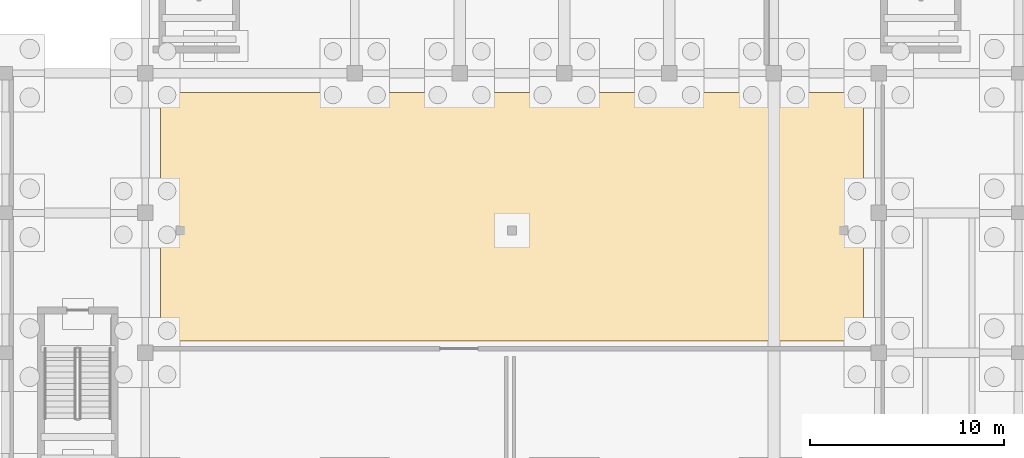
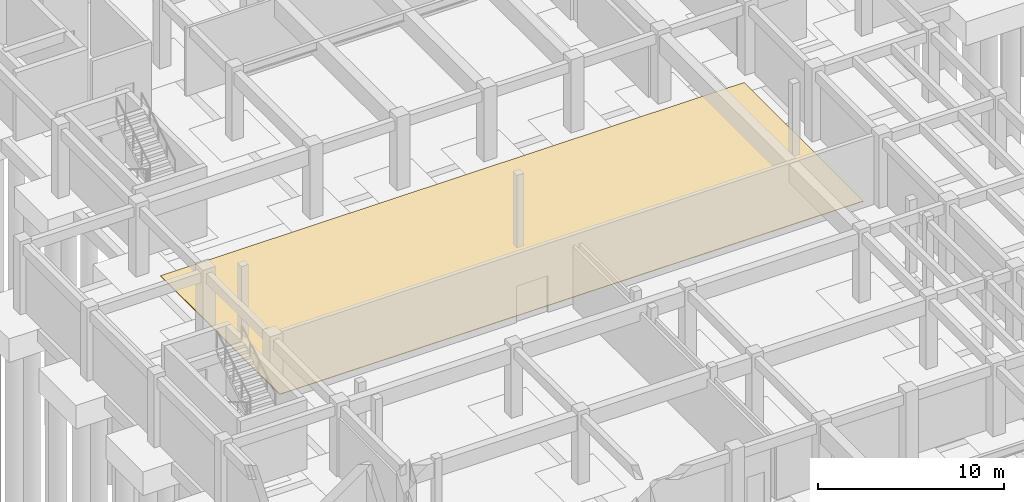
# One storey, part 41 of 46: 1 covering.
"""IFC4 building model written with IfcOpenShell, lengths in metres."""

from ifc_helpers import new_model, si_unit, direction, frame, origin, place, context, subcontext, project, spatial, polyline, outline, extrude, material, layer, layer_set, type_object, element, save


model = new_model("IFC4")

# Units and contexts
model_context = context("Model", 3, precision=1e-05, world=origin(), true_north=direction((0.0, 1.0)))
body_context = subcontext(model_context, "Body", "Model", "MODEL_VIEW")
ifc_project = project(units=[si_unit("LENGTHUNIT", "METRE"), si_unit("AREAUNIT", "SQUARE_METRE"), si_unit("VOLUMEUNIT", "CUBIC_METRE"), si_unit("PLANEANGLEUNIT", "RADIAN"), si_unit("MASSUNIT", "GRAM", prefix="KILO")], contexts=[model_context])

# Site, building, storey
site_placement = place(None, origin())
site = spatial("IfcSite", under=ifc_project, at=site_placement, CompositionType="ELEMENT")
building_placement = place(site_placement, origin())
building = spatial("IfcBuilding", under=site, at=building_placement, Name="Tazoul Stagehouse", CompositionType="ELEMENT")
storey_placement = place(building_placement, frame((0.0, 0.0, -4.800048828125)))
storey = spatial("IfcBuildingStorey", under=building, at=storey_placement, Name="B1", CompositionType="ELEMENT", Elevation=-4.800048828125)

# Covering
ifc_material = material(Name="Acoustic Cedar Timber", Category="wood")
ifc_layer = layer(ifc_material, 0.0400390625, Name="Acoustic Cedar Timber")
ifc_layer_set = layer_set([ifc_layer], Name="Acoustic Cedar Timber")
covering_type = type_object("IfcCoveringType", Name="Atlas Cedar Sprung Stage & Hall Flooring 40", PredefinedType="FLOORING", material=ifc_layer_set)
covering_placement = place(storey_placement, origin())
element("IfcCovering", 1, at=covering_placement, inside=storey, type_object=covering_type, Name="B1 Orchestra Pit and Musicians Plenum Flooring", PredefinedType="FLOORING", context=body_context, shape_type="SweptSolid", body=[
    extrude(outline(polyline([(94.610107421875, 86.81005859375), (94.610107421875, 73.989990234375), (58.389892578125, 73.989990234375), (58.389892578125, 86.81005859375), (94.610107421875, 86.81005859375)])), origin(), (0.0, 0.0, 1.0), 0.0400390625),
])

save(model, "model.ifc")
